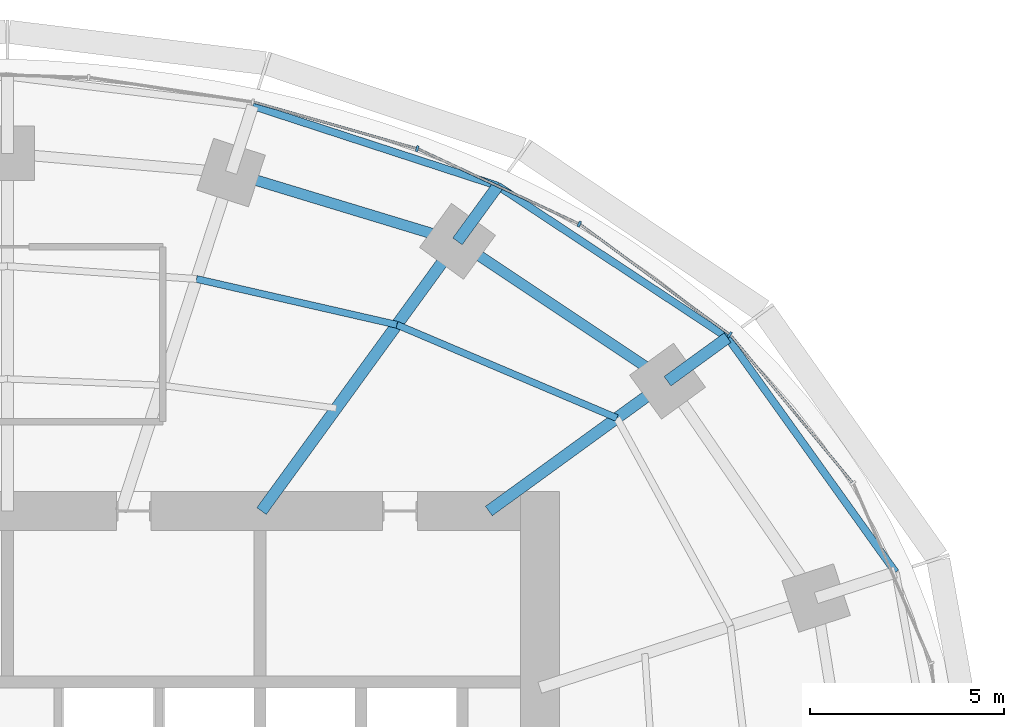
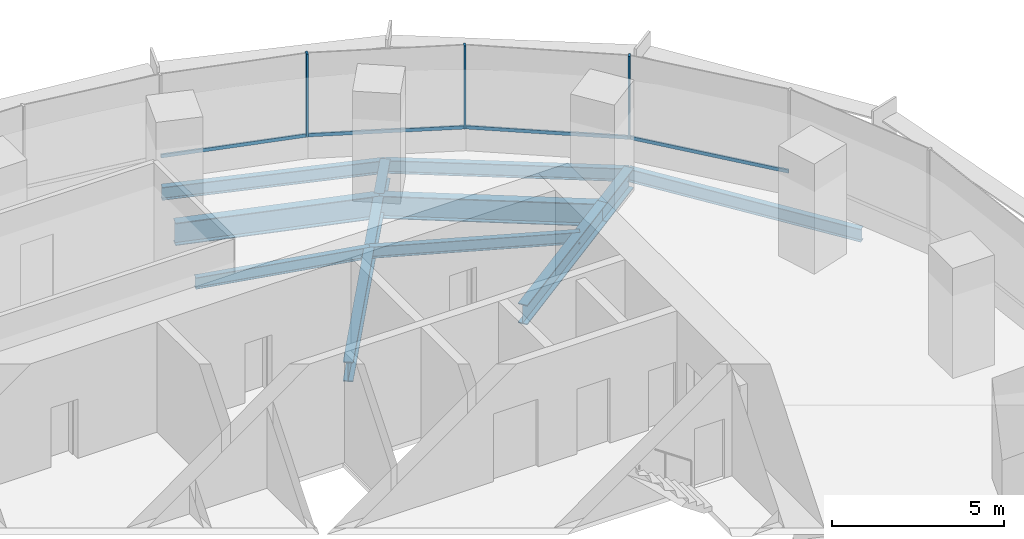
# One storey, part 8 of 14: 11 beams, 7 members, 2 elements without a shape of their own.
"""IFC4 building model written with IfcOpenShell, lengths in metres."""

from ifc_helpers import new_model, si_unit, direction, frame, origin, origin_2d, place, context, subcontext, project, spatial, rectangle, i_section, extrude, material, material_profile, profile_set, type_object, element, aggregate, save


model = new_model("IFC4")

# Units and contexts
model_context = context("Model", 3, precision=1e-05, world=origin(), true_north=direction((0.0, 1.0)))
body_context = subcontext(model_context, "Body", "Model", "MODEL_VIEW")
ifc_project = project(units=[si_unit("LENGTHUNIT", "METRE"), si_unit("AREAUNIT", "SQUARE_METRE"), si_unit("VOLUMEUNIT", "CUBIC_METRE"), si_unit("PLANEANGLEUNIT", "RADIAN"), si_unit("MASSUNIT", "GRAM", prefix="KILO")], contexts=[model_context])

# Site, building, storey
site_placement = place(None, origin())
site = spatial("IfcSite", under=ifc_project, at=site_placement, CompositionType="ELEMENT")
building_placement = place(site_placement, origin())
building = spatial("IfcBuilding", under=site, at=building_placement, Name="Marramba Exchange Tower", CompositionType="ELEMENT")
storey_placement = place(building_placement, frame((0.0, 0.0, 222.800048828125)))
storey = spatial("IfcBuildingStorey", under=building, at=storey_placement, Name="L54", CompositionType="ELEMENT", Elevation=222.800048828125)

# Beams
ifc_material_1 = material(Name="Steel AS/NZS 3679.2 grade 300", Category="steel")
ifc_material_profile_1 = material_profile(ifc_material_1, i_section(OverallWidth=0.300048828125, OverallDepth=0.699951171875, WebThickness=0.010009765625, FlangeThickness=0.031982421875, at=origin_2d()), Name="700WB173")
ifc_profile_set_1 = profile_set([ifc_material_profile_1], Name="Steel AS/NZS 3679.2 grade 300")
beam_type_1 = type_object("IfcBeamType", Name="Cantilever girder 700WB173", PredefinedType="BEAM", material=ifc_profile_set_1)
beam_1_placement = place(storey_placement, frame((16.98583984375, 12.3408203125, -0.510009765625), z_axis=(0.808962750283, 0.587859905636, 0.0), x_axis=(-0.587859905636, 0.808962750283, 0.0)))
element("IfcBeam", 1, at=beam_1_placement, inside=storey, type_object=beam_type_1, Name="Cantilever girder L54 TC03", PredefinedType="BEAM", context=body_context, shape_type="SweptSolid", body=[
    extrude(i_section(OverallWidth=0.300048828125, OverallDepth=0.699951171875, WebThickness=0.010009765625, FlangeThickness=0.031982421875, at=origin_2d()), origin(), (0.0, 0.0, 1.0), 1.9091796875),
])
beam_2_placement = place(storey_placement, frame((11.581298828125, 15.9404296875, -0.510009765625), z_axis=(0.587817766387, 0.808993370504, 0.0), x_axis=(-0.808993370504, 0.587817766387, 0.0)))
element("IfcBeam", 2, at=beam_2_placement, inside=storey, type_object=beam_type_1, Name="Cantilever girder L54 TC04", PredefinedType="BEAM", context=body_context, shape_type="SweptSolid", body=[
    extrude(i_section(OverallWidth=0.300048828125, OverallDepth=0.699951171875, WebThickness=0.010009765625, FlangeThickness=0.031982421875, at=origin_2d()), origin(), (0.0, 0.0, 1.0), 1.763916015625),
])
ifc_material_2 = material(Name="Steel AS/NZS 3679.1 grade 300", Category="steel")
ifc_material_profile_2 = material_profile(ifc_material_2, i_section(OverallWidth=0.177978515625, OverallDepth=0.406005859375, WebThickness=0.0078125, FlangeThickness=0.0126953125, FilletRadius=0.011474609375, at=origin_2d()), Name="410UB59.7")
ifc_profile_set_2 = profile_set([ifc_material_profile_2], Name="Steel AS/NZS 3679.1 grade 300")
beam_type_2 = type_object("IfcBeamType", Name="Floor joist 410UB59.7", PredefinedType="JOIST", material=ifc_profile_set_2)
beam_3_placement = place(storey_placement, frame((15.682373046875, 11.393798828125, -0.363037109375), z_axis=(-0.920674336375, 0.390331610738, 0.0), x_axis=(-0.390331610738, -0.920674336375, 0.0)))
element("IfcBeam", 3, at=beam_3_placement, inside=storey, type_object=beam_type_2, Name="Joist L54 bay 03 row 2", PredefinedType="JOIST", context=body_context, shape_type="SweptSolid", body=[
    extrude(i_section(OverallWidth=0.177978515625, OverallDepth=0.406005859375, WebThickness=0.0078125, FlangeThickness=0.0126953125, FilletRadius=0.011474609375, at=origin_2d()), origin(), (0.0, 0.0, 1.0), 6.1484375),
])
beam_4_placement = place(storey_placement, frame((10.021728515625, 13.793701171875, -0.363037109375), z_axis=(-0.974859652292, 0.222819788916, 0.0), x_axis=(-0.222819788916, -0.974859652292, 0.0)))
element("IfcBeam", 4, at=beam_4_placement, inside=storey, type_object=beam_type_2, Name="Joist L54 bay 04 row 2", PredefinedType="JOIST", context=body_context, shape_type="SweptSolid", body=[
    extrude(i_section(OverallWidth=0.177978515625, OverallDepth=0.406005859375, WebThickness=0.0078125, FlangeThickness=0.0126953125, FilletRadius=0.011474609375, at=origin_2d()), origin(), (0.0, 0.0, 1.0), 5.2900390625),
])

# Curtain wall, members
ifc_material_3 = material(Name="Aluminium framing, bronze anodised", Category="aluminium")
curtain_wall_type = type_object("IfcCurtainWallType", Name="Office ribbon curtain wall", PredefinedType="USERDEFINED", material=ifc_material_3)
curtain_wall_1_placement = place(storey_placement, origin())
curtain_wall_1 = element("IfcCurtainWall", 5, at=curtain_wall_1_placement, inside=storey, type_object=curtain_wall_type, Name="Curtain wall CW4 L54 F01-F05", ObjectType="RIBBON CURTAIN WALL", PredefinedType="USERDEFINED")
ifc_material_4 = material(Name="Aluminium mullion, bronze anodised", Category="aluminium")
ifc_material_profile_3 = material_profile(ifc_material_4, rectangle(XDim=0.159912109375, YDim=0.06005859375, at=origin_2d()), Name="CW4 mullion 60x160")
ifc_profile_set_3 = profile_set([ifc_material_profile_3], Name="Aluminium mullion, bronze anodised")
member_type_1 = type_object("IfcMemberType", Name="Office ribbon curtain wall mullion", PredefinedType="MULLION", material=ifc_profile_set_3)
member_1_placement = place(storey_placement, frame((18.587158203125, 13.53955078125, 0.800048828125), z_axis=(0.0, 0.0, 1.0), x_axis=(-0.593441317494, -0.804877259395, 0.0)))
member_1 = element("IfcMember", 6, at=member_1_placement, type_object=member_type_1, Name="CW4 mullion 1", PredefinedType="MULLION", context=body_context, shape_type="SweptSolid", body=[
    extrude(rectangle(XDim=0.159912109375, YDim=0.06005859375, at=origin_2d()), origin(), (0.0, 0.0, 1.0), 2.93994140625),
])
member_2_placement = place(storey_placement, frame((14.7158203125, 16.386474609375, 0.800048828125), z_axis=(0.0, 0.0, 1.0), x_axis=(-0.422133006189, -0.906533907301, 0.0)))
member_2 = element("IfcMember", 7, at=member_2_placement, type_object=member_type_1, Name="CW4 mullion 1", PredefinedType="MULLION", context=body_context, shape_type="SweptSolid", body=[
    extrude(rectangle(XDim=0.159912109375, YDim=0.06005859375, at=origin_2d()), origin(), (0.0, 0.0, 1.0), 2.93994140625),
])

# Curtain wall, member
curtain_wall_2_placement = place(storey_placement, origin())
curtain_wall_2 = element("IfcCurtainWall", 8, at=curtain_wall_2_placement, inside=storey, type_object=curtain_wall_type, Name="Curtain wall CW4 L54 F06-F10", ObjectType="RIBBON CURTAIN WALL", PredefinedType="USERDEFINED")
member_3_placement = place(storey_placement, frame((10.54541015625, 18.3232421875, 0.800048828125), z_axis=(0.0, 0.0, 1.0), x_axis=(-0.274248164656, -0.961658954195, 0.0)))
member_3 = element("IfcMember", 9, at=member_3_placement, type_object=member_type_1, Name="CW4 mullion 1", PredefinedType="MULLION", context=body_context, shape_type="SweptSolid", body=[
    extrude(rectangle(XDim=0.159912109375, YDim=0.06005859375, at=origin_2d()), origin(), (0.0, 0.0, 1.0), 2.93994140625),
])

# Member
ifc_material_5 = material(Name="Aluminium transom, bronze anodised", Category="aluminium")
ifc_material_profile_4 = material_profile(ifc_material_5, rectangle(XDim=0.06005859375, YDim=0.1201171875, at=origin_2d()), Name="CW4 transom 60x120")
ifc_profile_set_4 = profile_set([ifc_material_profile_4], Name="Aluminium transom, bronze anodised")
member_type_2 = type_object("IfcMemberType", Name="Office ribbon curtain wall transom", PredefinedType="USERDEFINED", material=ifc_profile_set_4)
member_4_placement = place(storey_placement, frame((21.73779296875, 9.74169921875, 0.829833984375), z_axis=(-0.637375191043, 0.770553609973, 0.0), x_axis=(-0.770553609973, -0.637375191043, 0.0)))
member_4 = element("IfcMember", 10, at=member_4_placement, type_object=member_type_2, Name="CW4 sill transom", ObjectType="TRANSOM", PredefinedType="USERDEFINED", context=body_context, shape_type="SweptSolid", body=[
    extrude(rectangle(XDim=0.06005859375, YDim=0.1201171875, at=origin_2d()), origin(), (0.0, 0.0, 1.0), 4.905517578125),
])

member_5_placement = place(storey_placement, frame((18.56298828125, 13.557373046875, 0.829833984375), z_axis=(-0.804874780157, 0.593444680039, 0.0), x_axis=(-0.593444680039, -0.804874780157, 0.0)))
member_5 = element("IfcMember", 11, at=member_5_placement, type_object=member_type_2, Name="CW4 sill transom", ObjectType="TRANSOM", PredefinedType="USERDEFINED", context=body_context, shape_type="SweptSolid", body=[
    extrude(rectangle(XDim=0.06005859375, YDim=0.1201171875, at=origin_2d()), origin(), (0.0, 0.0, 1.0), 4.745849609375),
])

member_6_placement = place(storey_placement, frame((14.688720703125, 16.399169921875, 0.829833984375), z_axis=(-0.906548348139, 0.422101992989, 0.0), x_axis=(-0.422101992989, -0.906548348139, 0.0)))
member_6 = element("IfcMember", 12, at=member_6_placement, type_object=member_type_2, Name="CW4 sill transom", ObjectType="TRANSOM", PredefinedType="USERDEFINED", context=body_context, shape_type="SweptSolid", body=[
    extrude(rectangle(XDim=0.06005859375, YDim=0.1201171875, at=origin_2d()), origin(), (0.0, 0.0, 1.0), 4.53857421875),
])

aggregate(curtain_wall_1, [member_4, member_1, member_5, member_2, member_6])

member_7_placement = place(storey_placement, frame((10.5166015625, 18.33154296875, 0.829833984375), z_axis=(-0.961661807825, 0.274238158125, 0.0), x_axis=(-0.274238158125, -0.961661807825, 0.0)))
member_7 = element("IfcMember", 13, at=member_7_placement, type_object=member_type_2, Name="CW4 sill transom", ObjectType="TRANSOM", PredefinedType="USERDEFINED", context=body_context, shape_type="SweptSolid", body=[
    extrude(rectangle(XDim=0.06005859375, YDim=0.1201171875, at=origin_2d()), origin(), (0.0, 0.0, 1.0), 4.340087890625),
])

aggregate(curtain_wall_2, [member_3, member_7])

# Beams
ifc_material_profile_5 = material_profile(ifc_material_1, i_section(OverallWidth=0.300048828125, OverallDepth=0.699951171875, WebThickness=0.010009765625, FlangeThickness=0.031982421875, at=origin_2d()), Name="700WB173")
ifc_profile_set_5 = profile_set([ifc_material_profile_5], Name="Steel AS/NZS 3679.2 grade 300")
beam_type_3 = type_object("IfcBeamType", Name="Radial girder 700WB173", PredefinedType="BEAM", material=ifc_profile_set_5)
beam_5_placement = place(storey_placement, frame((12.387451171875, 9.0, -0.510009765625), z_axis=(0.809025746925, 0.587773205252, 0.0), x_axis=(-0.587773205252, 0.809025746925, 0.0)))
element("IfcBeam", 14, at=beam_5_placement, inside=storey, type_object=beam_type_3, Name="Radial girder L54 TC03", PredefinedType="BEAM", context=body_context, shape_type="SweptSolid", body=[
    extrude(i_section(OverallWidth=0.300048828125, OverallDepth=0.699951171875, WebThickness=0.010009765625, FlangeThickness=0.031982421875, at=origin_2d()), origin(), (0.0, 0.0, 1.0), 5.683837890625),
])
beam_6_placement = place(storey_placement, frame((6.538818359375, 9.0, -0.510009765625), z_axis=(0.587782439969, 0.80901903764, 0.0), x_axis=(-0.80901903764, 0.587782439969, 0.0)))
element("IfcBeam", 15, at=beam_6_placement, inside=storey, type_object=beam_type_3, Name="Radial girder L54 TC04", PredefinedType="BEAM", context=body_context, shape_type="SweptSolid", body=[
    extrude(i_section(OverallWidth=0.300048828125, OverallDepth=0.699951171875, WebThickness=0.010009765625, FlangeThickness=0.031982421875, at=origin_2d()), origin(), (0.0, 0.0, 1.0), 8.578857421875),
])
ifc_material_profile_6 = material_profile(ifc_material_1, i_section(OverallWidth=0.27490234375, OverallDepth=0.800048828125, WebThickness=0.010009765625, FlangeThickness=0.02490234375, at=origin_2d()), Name="800WB168")
ifc_profile_set_6 = profile_set([ifc_material_profile_6], Name="Steel AS/NZS 3679.2 grade 300")
beam_type_4 = type_object("IfcBeamType", Name="Ring beam 800WB168", PredefinedType="SPANDREL", material=ifc_profile_set_6)
beam_7_placement = place(storey_placement, frame((16.98583984375, 12.3408203125, -0.56005859375), z_axis=(-0.832293151443, 0.554335737673, 0.0), x_axis=(-0.554335737673, -0.832293151443, 0.0)))
element("IfcBeam", 16, at=beam_7_placement, inside=storey, type_object=beam_type_4, Name="Ring beam L54 TC03-TC04", PredefinedType="SPANDREL", context=body_context, shape_type="SweptSolid", body=[
    extrude(i_section(OverallWidth=0.27490234375, OverallDepth=0.800048828125, WebThickness=0.010009765625, FlangeThickness=0.02490234375, at=origin_2d()), origin(), (0.0, 0.0, 1.0), 6.49365234375),
])
beam_8_placement = place(storey_placement, frame((11.581298828125, 15.9404296875, -0.56005859375), z_axis=(-0.956924542524, 0.290336735387, 0.0), x_axis=(-0.290336735387, -0.956924542524, 0.0)))
element("IfcBeam", 17, at=beam_8_placement, inside=storey, type_object=beam_type_4, Name="Ring beam L54 TC04-TC05", PredefinedType="SPANDREL", context=body_context, shape_type="SweptSolid", body=[
    extrude(i_section(OverallWidth=0.27490234375, OverallDepth=0.800048828125, WebThickness=0.010009765625, FlangeThickness=0.02490234375, at=origin_2d()), origin(), (0.0, 0.0, 1.0), 6.089599609375),
])
ifc_material_profile_7 = material_profile(ifc_material_2, i_section(OverallWidth=0.19091796875, OverallDepth=0.4599609375, WebThickness=0.010009765625, FlangeThickness=0.01611328125, FilletRadius=0.011474609375, at=origin_2d()), Name="460UB82.1")
ifc_profile_set_7 = profile_set([ifc_material_profile_7], Name="Steel AS/NZS 3679.1 grade 300")
beam_type_5 = type_object("IfcBeamType", Name="Slab edge beam 460UB82.1", PredefinedType="SPANDREL", material=ifc_profile_set_7)
beam_9_placement = place(storey_placement, frame((22.853515625, 7.425537109375, -0.39013671875), z_axis=(-0.582189457885, 0.813053156398, 0.0), x_axis=(-0.813053156398, -0.582189457885, 0.0)))
element("IfcBeam", 18, at=beam_9_placement, inside=storey, type_object=beam_type_5, Name="Slab edge beam L54 TC02-TC03", PredefinedType="SPANDREL", context=body_context, shape_type="SweptSolid", body=[
    extrude(i_section(OverallWidth=0.19091796875, OverallDepth=0.4599609375, WebThickness=0.010009765625, FlangeThickness=0.01611328125, FilletRadius=0.011474609375, at=origin_2d()), origin(), (0.0, 0.0, 1.0), 7.42578125),
])
beam_10_placement = place(storey_placement, frame((18.5302734375, 13.463134765625, -0.39013671875), z_axis=(-0.834459826117, 0.551068778463, 0.0), x_axis=(-0.551068778463, -0.834459826117, 0.0)))
element("IfcBeam", 19, at=beam_10_placement, inside=storey, type_object=beam_type_5, Name="Slab edge beam L54 TC03-TC04", PredefinedType="SPANDREL", context=body_context, shape_type="SweptSolid", body=[
    extrude(i_section(OverallWidth=0.19091796875, OverallDepth=0.4599609375, WebThickness=0.010009765625, FlangeThickness=0.01611328125, FilletRadius=0.011474609375, at=origin_2d()), origin(), (0.0, 0.0, 1.0), 7.0849609375),
])
beam_11_placement = place(storey_placement, frame((12.6181640625, 17.367431640625, -0.39013671875), z_axis=(-0.950608559101, 0.310392279809, 0.0), x_axis=(-0.310392279809, -0.950608559101, 0.0)))
element("IfcBeam", 20, at=beam_11_placement, inside=storey, type_object=beam_type_5, Name="Slab edge beam L54 TC04-TC05", PredefinedType="SPANDREL", context=body_context, shape_type="SweptSolid", body=[
    extrude(i_section(OverallWidth=0.19091796875, OverallDepth=0.4599609375, WebThickness=0.010009765625, FlangeThickness=0.01611328125, FilletRadius=0.011474609375, at=origin_2d()), origin(), (0.0, 0.0, 1.0), 6.6337890625),
])

save(model, "model.ifc")
